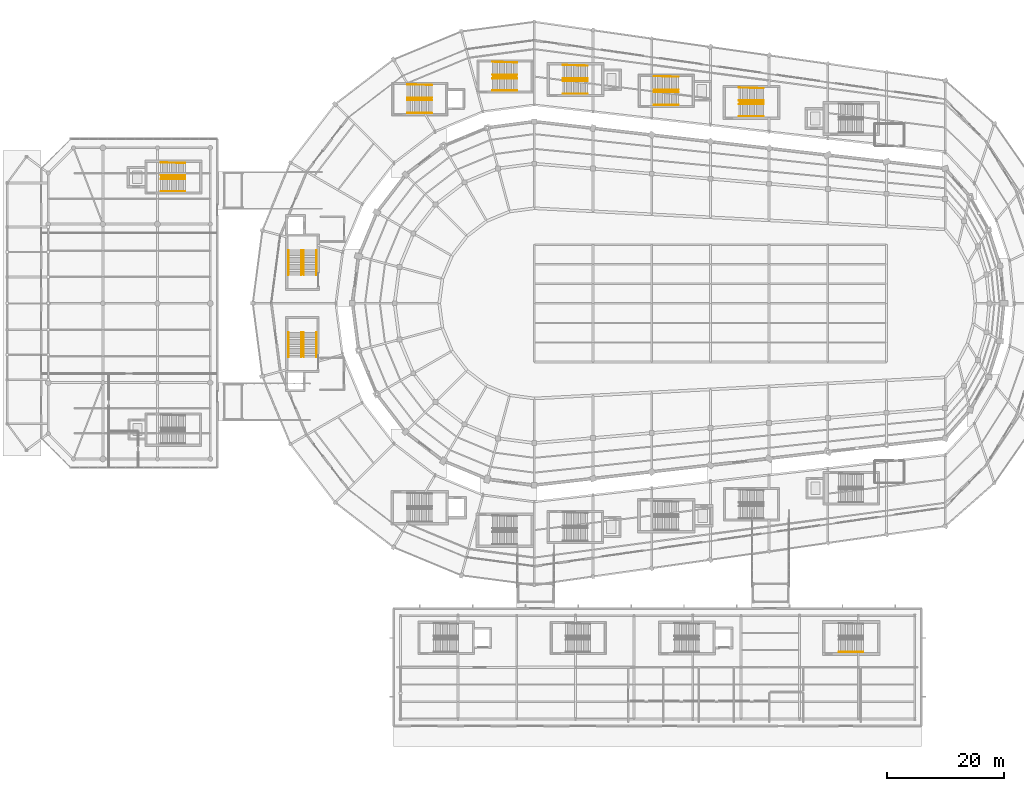
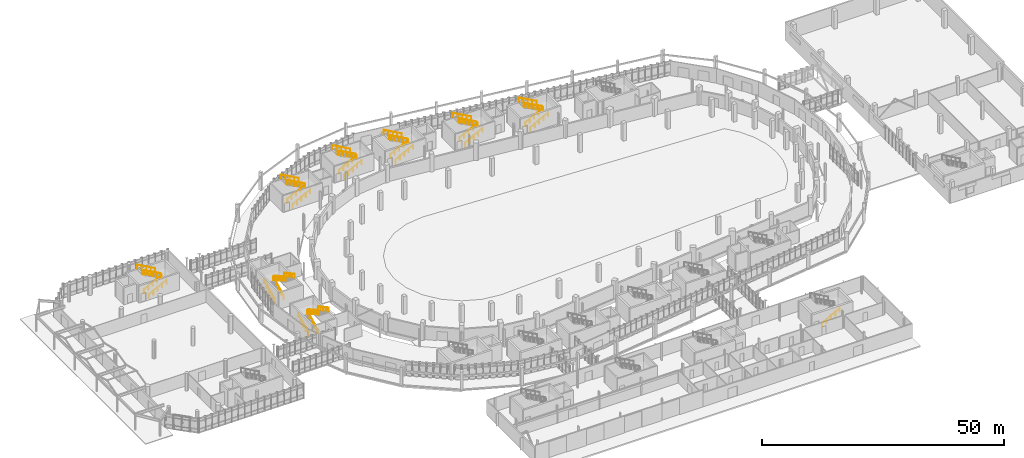
# One storey, part 118 of 122: 41 railings.
"""IFC4 building model written with IfcOpenShell, lengths in metres."""

from ifc_helpers import new_model, si_unit, direction, frame, origin, origin_2d, place, context, subcontext, project, spatial, circle, extrude, material, type_object, element, save


model = new_model("IFC4")

# Units and contexts
model_context = context("Model", 3, precision=1e-05, world=origin(), true_north=direction((0.0, 1.0)))
body_context = subcontext(model_context, "Body", "Model", "MODEL_VIEW")
ifc_project = project(units=[si_unit("LENGTHUNIT", "METRE"), si_unit("AREAUNIT", "SQUARE_METRE"), si_unit("VOLUMEUNIT", "CUBIC_METRE"), si_unit("PLANEANGLEUNIT", "RADIAN"), si_unit("MASSUNIT", "GRAM", prefix="KILO")], contexts=[model_context])

# Site, building, storey
site_placement = place(None, origin())
site = spatial("IfcSite", under=ifc_project, at=site_placement, CompositionType="ELEMENT")
building_placement = place(site_placement, origin())
building = spatial("IfcBuilding", under=site, at=building_placement, Name="Sohan Crest Arena", CompositionType="ELEMENT")
storey_placement = place(building_placement, origin())
storey = spatial("IfcBuildingStorey", under=building, at=storey_placement, Name="L00", CompositionType="ELEMENT", Elevation=0.0)

# Railings
ifc_material_1 = material(Name="Powder-coated wrought steel balustrade", Category="steel")
railing_type_1 = type_object("IfcRailingType", Name="ARC-GRD-01", PredefinedType="GUARDRAIL", material=ifc_material_1)
for number, where, name in (
    (1, (58.5, 73.030029296875, 2.25), "Stair well slot guard GRD-002"),
    (2, (58.5, 87.030029296875, 2.25), "Stair well slot guard GRD-009"),
):
    element("IfcRailing", number, at=place(storey_placement, frame(where)), inside=storey, type_object=railing_type_1, Name=name, PredefinedType="GUARDRAIL", context=body_context, shape_type="SweptSolid", body=[
        extrude(circle(Radius=0.02392578125, at=origin_2d()), frame((0.0, 0.0, 1.076171875), z_axis=(0.0, -0.87313487534, 0.487478706678), x_axis=(1.0, 0.0, 0.0)), (0.0, 0.0, 1.0), 4.615478515625),
        extrude(circle(Radius=0.02099609375, at=origin_2d()), origin(), (0.0, 0.0, 1.0), 1.052001953125),
        extrude(circle(Radius=0.02099609375, at=origin_2d()), frame((0.0, -1.007568359375, 0.5625)), (0.0, 0.0, 1.0), 1.052001953125),
        extrude(circle(Radius=0.02099609375, at=origin_2d()), frame((0.0, -2.01513671875, 1.125)), (0.0, 0.0, 1.0), 1.052001953125),
        extrude(circle(Radius=0.02099609375, at=origin_2d()), frame((0.0, -3.0224609375, 1.6875)), (0.0, 0.0, 1.0), 1.052001953125),
        extrude(circle(Radius=0.02099609375, at=origin_2d()), frame((0.0, -4.030029296875, 2.25)), (0.0, 0.0, 1.0), 1.052001953125),
    ])
for number, where, name in (
    (3, (80.530029296875, 112.800048828125, 2.25), "Stair well slot guard GRD-023"),
    (4, (107.030029296875, 116.10009765625, 2.25), "Stair well slot guard GRD-035"),
    (5, (122.530029296875, 114.199951171875, 2.25), "Stair well slot guard GRD-046"),
    (6, (38.530029296875, 99.5, 2.25), "Stair well slot guard GRD-075"),
    (7, (95.030029296875, 116.639892578125, 2.25), "Stair well slot guard GRD-106"),
    (8, (137.030029296875, 112.25, 2.25), "Stair well slot guard GRD-118"),
):
    element("IfcRailing", number, at=place(storey_placement, frame(where)), inside=storey, type_object=railing_type_1, Name=name, PredefinedType="GUARDRAIL", context=body_context, shape_type="SweptSolid", body=[
        extrude(circle(Radius=0.02392578125, at=origin_2d()), frame((0.0, 0.0, 1.076171875), z_axis=(-0.87313487534, 0.0, 0.487478706678), x_axis=(0.0, -1.0, 0.0)), (0.0, 0.0, 1.0), 4.615478515625),
        extrude(circle(Radius=0.02099609375, at=origin_2d()), origin(), (0.0, 0.0, 1.0), 1.052001953125),
        extrude(circle(Radius=0.02099609375, at=origin_2d()), frame((-1.007568359375, 0.0, 0.5625)), (0.0, 0.0, 1.0), 1.052001953125),
        extrude(circle(Radius=0.02099609375, at=origin_2d()), frame((-2.01513671875, 0.0, 1.125)), (0.0, 0.0, 1.0), 1.052001953125),
        extrude(circle(Radius=0.02099609375, at=origin_2d()), frame((-3.0224609375, 0.0, 1.6875)), (0.0, 0.0, 1.0), 1.052001953125),
        extrude(circle(Radius=0.02099609375, at=origin_2d()), frame((-4.030029296875, 0.0, 2.25)), (0.0, 0.0, 1.0), 1.052001953125),
    ])
ifc_material_2 = material(Name="Brushed stainless steel stair handrail", Category="steel")
railing_type_2 = type_object("IfcRailingType", Name="ARC-HR-01", PredefinedType="HANDRAIL", material=ifc_material_2)
for number, where, name in (
    (9, (56.110107421875, 68.85009765625, 0.0), "Stair pitch handrail HR-005"),
    (10, (58.2900390625, 68.85009765625, 0.0), "Stair pitch handrail HR-006"),
):
    element("IfcRailing", number, at=place(storey_placement, frame(where)), inside=storey, type_object=railing_type_2, Name=name, PredefinedType="HANDRAIL", context=body_context, shape_type="SweptSolid", body=[
        extrude(circle(Radius=0.02392578125, at=origin_2d()), frame((0.0, 0.0, 0.97607421875), z_axis=(0.0, 0.881477684796, 0.472225678258), x_axis=(-1.0, 0.0, 0.0)), (0.0, 0.0, 1.0), 4.7646484375),
        extrude(circle(Radius=0.02099609375, at=origin_2d()), origin(), (0.0, 0.0, 1.0), 0.951904296875),
        extrude(circle(Radius=0.02099609375, at=origin_2d()), frame((0.0, 1.050048828125, 0.5625)), (0.0, 0.0, 1.0), 0.951904296875),
        extrude(circle(Radius=0.02099609375, at=origin_2d()), frame((0.0, 2.10009765625, 1.125)), (0.0, 0.0, 1.0), 0.951904296875),
        extrude(circle(Radius=0.02099609375, at=origin_2d()), frame((0.0, 3.14990234375, 1.6875)), (0.0, 0.0, 1.0), 0.951904296875),
        extrude(circle(Radius=0.02099609375, at=origin_2d()), frame((0.0, 4.199951171875, 2.25)), (0.0, 0.0, 1.0), 0.951904296875),
    ])
for number, where, name in (
    (11, (58.7099609375, 73.050048828125, 2.25), "Stair pitch handrail HR-007"),
    (12, (60.889892578125, 73.050048828125, 2.25), "Stair pitch handrail HR-008"),
):
    element("IfcRailing", number, at=place(storey_placement, frame(where)), inside=storey, type_object=railing_type_2, Name=name, PredefinedType="HANDRAIL", context=body_context, shape_type="SweptSolid", body=[
        extrude(circle(Radius=0.02392578125, at=origin_2d()), frame((0.0, 0.0, 0.97607421875), z_axis=(0.0, -0.881477684796, 0.472225678258), x_axis=(1.0, 0.0, 0.0)), (0.0, 0.0, 1.0), 4.7646484375),
        extrude(circle(Radius=0.02099609375, at=origin_2d()), origin(), (0.0, 0.0, 1.0), 0.951904296875),
        extrude(circle(Radius=0.02099609375, at=origin_2d()), frame((0.0, -1.050048828125, 0.5625)), (0.0, 0.0, 1.0), 0.951904296875),
        extrude(circle(Radius=0.02099609375, at=origin_2d()), frame((0.0, -2.10009765625, 1.125)), (0.0, 0.0, 1.0), 0.951904296875),
        extrude(circle(Radius=0.02099609375, at=origin_2d()), frame((0.0, -3.14990234375, 1.6875)), (0.0, 0.0, 1.0), 0.951904296875),
        extrude(circle(Radius=0.02099609375, at=origin_2d()), frame((0.0, -4.199951171875, 2.25)), (0.0, 0.0, 1.0), 0.951904296875),
    ])
for number, where, name in (
    (13, (56.110107421875, 82.85009765625, 0.0), "Stair pitch handrail HR-029"),
    (14, (58.2900390625, 82.85009765625, 0.0), "Stair pitch handrail HR-030"),
):
    element("IfcRailing", number, at=place(storey_placement, frame(where)), inside=storey, type_object=railing_type_2, Name=name, PredefinedType="HANDRAIL", context=body_context, shape_type="SweptSolid", body=[
        extrude(circle(Radius=0.02392578125, at=origin_2d()), frame((0.0, 0.0, 0.97607421875), z_axis=(0.0, 0.881477684796, 0.472225678258), x_axis=(-1.0, 0.0, 0.0)), (0.0, 0.0, 1.0), 4.7646484375),
        extrude(circle(Radius=0.02099609375, at=origin_2d()), origin(), (0.0, 0.0, 1.0), 0.951904296875),
        extrude(circle(Radius=0.02099609375, at=origin_2d()), frame((0.0, 1.050048828125, 0.5625)), (0.0, 0.0, 1.0), 0.951904296875),
        extrude(circle(Radius=0.02099609375, at=origin_2d()), frame((0.0, 2.10009765625, 1.125)), (0.0, 0.0, 1.0), 0.951904296875),
        extrude(circle(Radius=0.02099609375, at=origin_2d()), frame((0.0, 3.14990234375, 1.6875)), (0.0, 0.0, 1.0), 0.951904296875),
        extrude(circle(Radius=0.02099609375, at=origin_2d()), frame((0.0, 4.199951171875, 2.25)), (0.0, 0.0, 1.0), 0.951904296875),
    ])
for number, where, name in (
    (15, (58.7099609375, 87.050048828125, 2.25), "Stair pitch handrail HR-031"),
    (16, (60.889892578125, 87.050048828125, 2.25), "Stair pitch handrail HR-032"),
):
    element("IfcRailing", number, at=place(storey_placement, frame(where)), inside=storey, type_object=railing_type_2, Name=name, PredefinedType="HANDRAIL", context=body_context, shape_type="SweptSolid", body=[
        extrude(circle(Radius=0.02392578125, at=origin_2d()), frame((0.0, 0.0, 0.97607421875), z_axis=(0.0, -0.881477684796, 0.472225678258), x_axis=(1.0, 0.0, 0.0)), (0.0, 0.0, 1.0), 4.7646484375),
        extrude(circle(Radius=0.02099609375, at=origin_2d()), origin(), (0.0, 0.0, 1.0), 0.951904296875),
        extrude(circle(Radius=0.02099609375, at=origin_2d()), frame((0.0, -1.050048828125, 0.5625)), (0.0, 0.0, 1.0), 0.951904296875),
        extrude(circle(Radius=0.02099609375, at=origin_2d()), frame((0.0, -2.10009765625, 1.125)), (0.0, 0.0, 1.0), 0.951904296875),
        extrude(circle(Radius=0.02099609375, at=origin_2d()), frame((0.0, -3.14990234375, 1.6875)), (0.0, 0.0, 1.0), 0.951904296875),
        extrude(circle(Radius=0.02099609375, at=origin_2d()), frame((0.0, -4.199951171875, 2.25)), (0.0, 0.0, 1.0), 0.951904296875),
    ])
for number, where, name in (
    (17, (76.35009765625, 110.409912109375, 0.0), "Stair pitch handrail HR-077"),
    (18, (76.35009765625, 112.590087890625, 0.0), "Stair pitch handrail HR-078"),
):
    element("IfcRailing", number, at=place(storey_placement, frame(where)), inside=storey, type_object=railing_type_2, Name=name, PredefinedType="HANDRAIL", context=body_context, shape_type="SweptSolid", body=[
        extrude(circle(Radius=0.02392578125, at=origin_2d()), frame((0.0, 0.0, 0.97607421875), z_axis=(0.881477684796, 0.0, 0.472225678258), x_axis=(0.0, 1.0, 0.0)), (0.0, 0.0, 1.0), 4.7646484375),
        extrude(circle(Radius=0.02099609375, at=origin_2d()), origin(), (0.0, 0.0, 1.0), 0.951904296875),
        extrude(circle(Radius=0.02099609375, at=origin_2d()), frame((1.050048828125, 0.0, 0.5625)), (0.0, 0.0, 1.0), 0.951904296875),
        extrude(circle(Radius=0.02099609375, at=origin_2d()), frame((2.10009765625, 0.0, 1.125)), (0.0, 0.0, 1.0), 0.951904296875),
        extrude(circle(Radius=0.02099609375, at=origin_2d()), frame((3.14990234375, 0.0, 1.6875)), (0.0, 0.0, 1.0), 0.951904296875),
        extrude(circle(Radius=0.02099609375, at=origin_2d()), frame((4.199951171875, 0.0, 2.25)), (0.0, 0.0, 1.0), 0.951904296875),
    ])
railing_1_placement = place(storey_placement, frame((80.550048828125, 113.010009765625, 2.25)))
element("IfcRailing", 19, at=railing_1_placement, inside=storey, type_object=railing_type_2, Name="Stair pitch handrail HR-079", PredefinedType="HANDRAIL", context=body_context, shape_type="SweptSolid", body=[
    extrude(circle(Radius=0.02392578125, at=origin_2d()), frame((0.0, 0.0, 0.97607421875), z_axis=(-0.881477684796, 0.0, 0.472225678258), x_axis=(0.0, -1.0, 0.0)), (0.0, 0.0, 1.0), 4.7646484375),
    extrude(circle(Radius=0.02099609375, at=origin_2d()), origin(), (0.0, 0.0, 1.0), 0.951904296875),
    extrude(circle(Radius=0.02099609375, at=origin_2d()), frame((-1.050048828125, 0.0, 0.5625)), (0.0, 0.0, 1.0), 0.951904296875),
    extrude(circle(Radius=0.02099609375, at=origin_2d()), frame((-2.10009765625, 0.0, 1.125)), (0.0, 0.0, 1.0), 0.951904296875),
    extrude(circle(Radius=0.02099609375, at=origin_2d()), frame((-3.14990234375, 0.0, 1.6875)), (0.0, 0.0, 1.0), 0.951904296875),
    extrude(circle(Radius=0.02099609375, at=origin_2d()), frame((-4.199951171875, 0.0, 2.25)), (0.0, 0.0, 1.0), 0.951904296875),
])
railing_2_placement = place(storey_placement, frame((80.550048828125, 115.18994140625, 2.25)))
element("IfcRailing", 20, at=railing_2_placement, inside=storey, type_object=railing_type_2, Name="Stair pitch handrail HR-080", PredefinedType="HANDRAIL", context=body_context, shape_type="SweptSolid", body=[
    extrude(circle(Radius=0.02392578125, at=origin_2d()), frame((0.0, 0.0, 0.97607421875), z_axis=(-0.881197710057, 0.025201957411, 0.472075690047), x_axis=(-0.028587973606, -0.999591280357, 0.0)), (0.0, 0.0, 1.0), 4.76611328125),
    extrude(circle(Radius=0.02099609375, at=origin_2d()), origin(), (0.0, 0.0, 1.0), 0.951904296875),
    extrude(circle(Radius=0.02099609375, at=origin_2d()), frame((-1.050048828125, 0.030029296875, 0.5625)), (0.0, 0.0, 1.0), 0.951904296875),
    extrude(circle(Radius=0.02099609375, at=origin_2d()), frame((-2.10009765625, 0.06005859375, 1.125)), (0.0, 0.0, 1.0), 0.951904296875),
    extrude(circle(Radius=0.02099609375, at=origin_2d()), frame((-3.14990234375, 0.090087890625, 1.6875)), (0.0, 0.0, 1.0), 0.951904296875),
    extrude(circle(Radius=0.02099609375, at=origin_2d()), frame((-4.199951171875, 0.1201171875, 2.25)), (0.0, 0.0, 1.0), 0.951904296875),
])
for number, where, name in (
    (21, (102.85009765625, 113.7099609375, 0.0), "Stair pitch handrail HR-117"),
    (22, (102.85009765625, 115.889892578125, 0.0), "Stair pitch handrail HR-118"),
):
    element("IfcRailing", number, at=place(storey_placement, frame(where)), inside=storey, type_object=railing_type_2, Name=name, PredefinedType="HANDRAIL", context=body_context, shape_type="SweptSolid", body=[
        extrude(circle(Radius=0.02392578125, at=origin_2d()), frame((0.0, 0.0, 0.97607421875), z_axis=(0.881477684796, 0.0, 0.472225678258), x_axis=(0.0, 1.0, 0.0)), (0.0, 0.0, 1.0), 4.7646484375),
        extrude(circle(Radius=0.02099609375, at=origin_2d()), origin(), (0.0, 0.0, 1.0), 0.951904296875),
        extrude(circle(Radius=0.02099609375, at=origin_2d()), frame((1.050048828125, 0.0, 0.5625)), (0.0, 0.0, 1.0), 0.951904296875),
        extrude(circle(Radius=0.02099609375, at=origin_2d()), frame((2.10009765625, 0.0, 1.125)), (0.0, 0.0, 1.0), 0.951904296875),
        extrude(circle(Radius=0.02099609375, at=origin_2d()), frame((3.14990234375, 0.0, 1.6875)), (0.0, 0.0, 1.0), 0.951904296875),
        extrude(circle(Radius=0.02099609375, at=origin_2d()), frame((4.199951171875, 0.0, 2.25)), (0.0, 0.0, 1.0), 0.951904296875),
    ])
railing_3_placement = place(storey_placement, frame((107.050048828125, 116.31005859375, 2.25)))
element("IfcRailing", 23, at=railing_3_placement, inside=storey, type_object=railing_type_2, Name="Stair pitch handrail HR-119", PredefinedType="HANDRAIL", context=body_context, shape_type="SweptSolid", body=[
    extrude(circle(Radius=0.02392578125, at=origin_2d()), frame((0.0, 0.0, 0.97607421875), z_axis=(-0.881477684796, 0.0, 0.472225678258), x_axis=(0.0, -1.0, 0.0)), (0.0, 0.0, 1.0), 4.7646484375),
    extrude(circle(Radius=0.02099609375, at=origin_2d()), origin(), (0.0, 0.0, 1.0), 0.951904296875),
    extrude(circle(Radius=0.02099609375, at=origin_2d()), frame((-1.050048828125, 0.0, 0.5625)), (0.0, 0.0, 1.0), 0.951904296875),
    extrude(circle(Radius=0.02099609375, at=origin_2d()), frame((-2.10009765625, 0.0, 1.125)), (0.0, 0.0, 1.0), 0.951904296875),
    extrude(circle(Radius=0.02099609375, at=origin_2d()), frame((-3.14990234375, 0.0, 1.6875)), (0.0, 0.0, 1.0), 0.951904296875),
    extrude(circle(Radius=0.02099609375, at=origin_2d()), frame((-4.199951171875, 0.0, 2.25)), (0.0, 0.0, 1.0), 0.951904296875),
])
railing_4_placement = place(storey_placement, frame((107.050048828125, 118.489990234375, 2.25)))
element("IfcRailing", 24, at=railing_4_placement, inside=storey, type_object=railing_type_2, Name="Stair pitch handrail HR-120", PredefinedType="HANDRAIL", context=body_context, shape_type="SweptSolid", body=[
    extrude(circle(Radius=0.02392578125, at=origin_2d()), frame((0.0, 0.0, 0.97607421875), z_axis=(-0.881197710057, 0.025201957411, 0.472075690047), x_axis=(-0.028587973606, -0.999591280357, 0.0)), (0.0, 0.0, 1.0), 4.76611328125),
    extrude(circle(Radius=0.02099609375, at=origin_2d()), origin(), (0.0, 0.0, 1.0), 0.951904296875),
    extrude(circle(Radius=0.02099609375, at=origin_2d()), frame((-1.050048828125, 0.030029296875, 0.5625)), (0.0, 0.0, 1.0), 0.951904296875),
    extrude(circle(Radius=0.02099609375, at=origin_2d()), frame((-2.10009765625, 0.06005859375, 1.125)), (0.0, 0.0, 1.0), 0.951904296875),
    extrude(circle(Radius=0.02099609375, at=origin_2d()), frame((-3.14990234375, 0.090087890625, 1.6875)), (0.0, 0.0, 1.0), 0.951904296875),
    extrude(circle(Radius=0.02099609375, at=origin_2d()), frame((-4.199951171875, 0.1201171875, 2.25)), (0.0, 0.0, 1.0), 0.951904296875),
])
for number, where, name in (
    (25, (118.35009765625, 111.81005859375, 0.0), "Stair pitch handrail HR-153"),
    (26, (118.35009765625, 113.989990234375, 0.0), "Stair pitch handrail HR-154"),
):
    element("IfcRailing", number, at=place(storey_placement, frame(where)), inside=storey, type_object=railing_type_2, Name=name, PredefinedType="HANDRAIL", context=body_context, shape_type="SweptSolid", body=[
        extrude(circle(Radius=0.02392578125, at=origin_2d()), frame((0.0, 0.0, 0.97607421875), z_axis=(0.881477684796, 0.0, 0.472225678258), x_axis=(0.0, 1.0, 0.0)), (0.0, 0.0, 1.0), 4.7646484375),
        extrude(circle(Radius=0.02099609375, at=origin_2d()), origin(), (0.0, 0.0, 1.0), 0.951904296875),
        extrude(circle(Radius=0.02099609375, at=origin_2d()), frame((1.050048828125, 0.0, 0.5625)), (0.0, 0.0, 1.0), 0.951904296875),
        extrude(circle(Radius=0.02099609375, at=origin_2d()), frame((2.10009765625, 0.0, 1.125)), (0.0, 0.0, 1.0), 0.951904296875),
        extrude(circle(Radius=0.02099609375, at=origin_2d()), frame((3.14990234375, 0.0, 1.6875)), (0.0, 0.0, 1.0), 0.951904296875),
        extrude(circle(Radius=0.02099609375, at=origin_2d()), frame((4.199951171875, 0.0, 2.25)), (0.0, 0.0, 1.0), 0.951904296875),
    ])
railing_5_placement = place(storey_placement, frame((122.550048828125, 114.409912109375, 2.25)))
element("IfcRailing", 27, at=railing_5_placement, inside=storey, type_object=railing_type_2, Name="Stair pitch handrail HR-155", PredefinedType="HANDRAIL", context=body_context, shape_type="SweptSolid", body=[
    extrude(circle(Radius=0.02392578125, at=origin_2d()), frame((0.0, 0.0, 0.97607421875), z_axis=(-0.881477684796, 0.0, 0.472225678258), x_axis=(0.0, -1.0, 0.0)), (0.0, 0.0, 1.0), 4.7646484375),
    extrude(circle(Radius=0.02099609375, at=origin_2d()), origin(), (0.0, 0.0, 1.0), 0.951904296875),
    extrude(circle(Radius=0.02099609375, at=origin_2d()), frame((-1.050048828125, 0.0, 0.5625)), (0.0, 0.0, 1.0), 0.951904296875),
    extrude(circle(Radius=0.02099609375, at=origin_2d()), frame((-2.10009765625, 0.0, 1.125)), (0.0, 0.0, 1.0), 0.951904296875),
    extrude(circle(Radius=0.02099609375, at=origin_2d()), frame((-3.14990234375, 0.0, 1.6875)), (0.0, 0.0, 1.0), 0.951904296875),
    extrude(circle(Radius=0.02099609375, at=origin_2d()), frame((-4.199951171875, 0.0, 2.25)), (0.0, 0.0, 1.0), 0.951904296875),
])
railing_6_placement = place(storey_placement, frame((122.550048828125, 116.590087890625, 2.25)))
element("IfcRailing", 28, at=railing_6_placement, inside=storey, type_object=railing_type_2, Name="Stair pitch handrail HR-156", PredefinedType="HANDRAIL", context=body_context, shape_type="SweptSolid", body=[
    extrude(circle(Radius=0.02392578125, at=origin_2d()), frame((0.0, 0.0, 0.97607421875), z_axis=(-0.881198846469, 0.025150766356, 0.472076298847), x_axis=(-0.028529915312, -0.999592939117, 0.0)), (0.0, 0.0, 1.0), 4.76611328125),
    extrude(circle(Radius=0.02099609375, at=origin_2d()), origin(), (0.0, 0.0, 1.0), 0.951904296875),
    extrude(circle(Radius=0.02099609375, at=origin_2d()), frame((-1.050048828125, 0.030029296875, 0.5625)), (0.0, 0.0, 1.0), 0.951904296875),
    extrude(circle(Radius=0.02099609375, at=origin_2d()), frame((-2.10009765625, 0.06005859375, 1.125)), (0.0, 0.0, 1.0), 0.951904296875),
    extrude(circle(Radius=0.02099609375, at=origin_2d()), frame((-3.14990234375, 0.08984375, 1.6875)), (0.0, 0.0, 1.0), 0.951904296875),
    extrude(circle(Radius=0.02099609375, at=origin_2d()), frame((-4.199951171875, 0.119873046875, 2.25)), (0.0, 0.0, 1.0), 0.951904296875),
])
for number, where, name in (
    (29, (149.85009765625, 18.610107421875, 0.0), "Stair pitch handrail HR-205"),
    (30, (34.35009765625, 97.110107421875, 0.0), "Stair pitch handrail HR-245"),
    (31, (34.35009765625, 99.18994140625, 0.0), "Stair pitch handrail HR-246"),
):
    element("IfcRailing", number, at=place(storey_placement, frame(where)), inside=storey, type_object=railing_type_2, Name=name, PredefinedType="HANDRAIL", context=body_context, shape_type="SweptSolid", body=[
        extrude(circle(Radius=0.02392578125, at=origin_2d()), frame((0.0, 0.0, 0.97607421875), z_axis=(0.881477684796, 0.0, 0.472225678258), x_axis=(0.0, 1.0, 0.0)), (0.0, 0.0, 1.0), 4.7646484375),
        extrude(circle(Radius=0.02099609375, at=origin_2d()), origin(), (0.0, 0.0, 1.0), 0.951904296875),
        extrude(circle(Radius=0.02099609375, at=origin_2d()), frame((1.050048828125, 0.0, 0.5625)), (0.0, 0.0, 1.0), 0.951904296875),
        extrude(circle(Radius=0.02099609375, at=origin_2d()), frame((2.10009765625, 0.0, 1.125)), (0.0, 0.0, 1.0), 0.951904296875),
        extrude(circle(Radius=0.02099609375, at=origin_2d()), frame((3.14990234375, 0.0, 1.6875)), (0.0, 0.0, 1.0), 0.951904296875),
        extrude(circle(Radius=0.02099609375, at=origin_2d()), frame((4.199951171875, 0.0, 2.25)), (0.0, 0.0, 1.0), 0.951904296875),
    ])
railing_7_placement = place(storey_placement, frame((38.550048828125, 99.81005859375, 2.25)))
element("IfcRailing", 32, at=railing_7_placement, inside=storey, type_object=railing_type_2, Name="Stair pitch handrail HR-247", PredefinedType="HANDRAIL", context=body_context, shape_type="SweptSolid", body=[
    extrude(circle(Radius=0.02392578125, at=origin_2d()), frame((0.0, 0.0, 0.97607421875), z_axis=(-0.881477684796, 0.0, 0.472225678258), x_axis=(0.0, -1.0, 0.0)), (0.0, 0.0, 1.0), 4.7646484375),
    extrude(circle(Radius=0.02099609375, at=origin_2d()), origin(), (0.0, 0.0, 1.0), 0.951904296875),
    extrude(circle(Radius=0.02099609375, at=origin_2d()), frame((-1.050048828125, 0.0, 0.5625)), (0.0, 0.0, 1.0), 0.951904296875),
    extrude(circle(Radius=0.02099609375, at=origin_2d()), frame((-2.10009765625, 0.0, 1.125)), (0.0, 0.0, 1.0), 0.951904296875),
    extrude(circle(Radius=0.02099609375, at=origin_2d()), frame((-3.14990234375, 0.0, 1.6875)), (0.0, 0.0, 1.0), 0.951904296875),
    extrude(circle(Radius=0.02099609375, at=origin_2d()), frame((-4.199951171875, 0.0, 2.25)), (0.0, 0.0, 1.0), 0.951904296875),
])
railing_8_placement = place(storey_placement, frame((38.550048828125, 101.889892578125, 2.25)))
element("IfcRailing", 33, at=railing_8_placement, inside=storey, type_object=railing_type_2, Name="Stair pitch handrail HR-248", PredefinedType="HANDRAIL", context=body_context, shape_type="SweptSolid", body=[
    extrude(circle(Radius=0.02392578125, at=origin_2d()), frame((0.0, 0.0, 0.97607421875), z_axis=(-0.881197710057, 0.025201957411, 0.472075690047), x_axis=(-0.028587973606, -0.999591280357, 0.0)), (0.0, 0.0, 1.0), 4.76611328125),
    extrude(circle(Radius=0.02099609375, at=origin_2d()), origin(), (0.0, 0.0, 1.0), 0.951904296875),
    extrude(circle(Radius=0.02099609375, at=origin_2d()), frame((-1.050048828125, 0.030029296875, 0.5625)), (0.0, 0.0, 1.0), 0.951904296875),
    extrude(circle(Radius=0.02099609375, at=origin_2d()), frame((-2.10009765625, 0.06005859375, 1.125)), (0.0, 0.0, 1.0), 0.951904296875),
    extrude(circle(Radius=0.02099609375, at=origin_2d()), frame((-3.14990234375, 0.090087890625, 1.6875)), (0.0, 0.0, 1.0), 0.951904296875),
    extrude(circle(Radius=0.02099609375, at=origin_2d()), frame((-4.199951171875, 0.1201171875, 2.25)), (0.0, 0.0, 1.0), 0.951904296875),
])
for number, where, name in (
    (34, (90.85009765625, 114.25, 0.0), "Stair pitch handrail HR-345"),
    (35, (90.85009765625, 116.330078125, 0.0), "Stair pitch handrail HR-346"),
):
    element("IfcRailing", number, at=place(storey_placement, frame(where)), inside=storey, type_object=railing_type_2, Name=name, PredefinedType="HANDRAIL", context=body_context, shape_type="SweptSolid", body=[
        extrude(circle(Radius=0.02392578125, at=origin_2d()), frame((0.0, 0.0, 0.97607421875), z_axis=(0.881477684796, 0.0, 0.472225678258), x_axis=(0.0, 1.0, 0.0)), (0.0, 0.0, 1.0), 4.7646484375),
        extrude(circle(Radius=0.02099609375, at=origin_2d()), origin(), (0.0, 0.0, 1.0), 0.951904296875),
        extrude(circle(Radius=0.02099609375, at=origin_2d()), frame((1.050048828125, 0.0, 0.5625)), (0.0, 0.0, 1.0), 0.951904296875),
        extrude(circle(Radius=0.02099609375, at=origin_2d()), frame((2.10009765625, 0.0, 1.125)), (0.0, 0.0, 1.0), 0.951904296875),
        extrude(circle(Radius=0.02099609375, at=origin_2d()), frame((3.14990234375, 0.0, 1.6875)), (0.0, 0.0, 1.0), 0.951904296875),
        extrude(circle(Radius=0.02099609375, at=origin_2d()), frame((4.199951171875, 0.0, 2.25)), (0.0, 0.0, 1.0), 0.951904296875),
    ])
railing_9_placement = place(storey_placement, frame((95.050048828125, 116.949951171875, 2.25)))
element("IfcRailing", 36, at=railing_9_placement, inside=storey, type_object=railing_type_2, Name="Stair pitch handrail HR-347", PredefinedType="HANDRAIL", context=body_context, shape_type="SweptSolid", body=[
    extrude(circle(Radius=0.02392578125, at=origin_2d()), frame((0.0, 0.0, 0.97607421875), z_axis=(-0.881477684796, 0.0, 0.472225678258), x_axis=(0.0, -1.0, 0.0)), (0.0, 0.0, 1.0), 4.7646484375),
    extrude(circle(Radius=0.02099609375, at=origin_2d()), origin(), (0.0, 0.0, 1.0), 0.951904296875),
    extrude(circle(Radius=0.02099609375, at=origin_2d()), frame((-1.050048828125, 0.0, 0.5625)), (0.0, 0.0, 1.0), 0.951904296875),
    extrude(circle(Radius=0.02099609375, at=origin_2d()), frame((-2.10009765625, 0.0, 1.125)), (0.0, 0.0, 1.0), 0.951904296875),
    extrude(circle(Radius=0.02099609375, at=origin_2d()), frame((-3.14990234375, 0.0, 1.6875)), (0.0, 0.0, 1.0), 0.951904296875),
    extrude(circle(Radius=0.02099609375, at=origin_2d()), frame((-4.199951171875, 0.0, 2.25)), (0.0, 0.0, 1.0), 0.951904296875),
])
railing_10_placement = place(storey_placement, frame((95.050048828125, 119.030029296875, 2.25)))
element("IfcRailing", 37, at=railing_10_placement, inside=storey, type_object=railing_type_2, Name="Stair pitch handrail HR-348", PredefinedType="HANDRAIL", context=body_context, shape_type="SweptSolid", body=[
    extrude(circle(Radius=0.02392578125, at=origin_2d()), frame((0.0, 0.0, 0.97607421875), z_axis=(-0.881198846469, 0.025150766356, 0.472076298847), x_axis=(-0.028529915312, -0.999592939117, 0.0)), (0.0, 0.0, 1.0), 4.76611328125),
    extrude(circle(Radius=0.02099609375, at=origin_2d()), origin(), (0.0, 0.0, 1.0), 0.951904296875),
    extrude(circle(Radius=0.02099609375, at=origin_2d()), frame((-1.050048828125, 0.030029296875, 0.5625)), (0.0, 0.0, 1.0), 0.951904296875),
    extrude(circle(Radius=0.02099609375, at=origin_2d()), frame((-2.10009765625, 0.06005859375, 1.125)), (0.0, 0.0, 1.0), 0.951904296875),
    extrude(circle(Radius=0.02099609375, at=origin_2d()), frame((-3.14990234375, 0.08984375, 1.6875)), (0.0, 0.0, 1.0), 0.951904296875),
    extrude(circle(Radius=0.02099609375, at=origin_2d()), frame((-4.199951171875, 0.119873046875, 2.25)), (0.0, 0.0, 1.0), 0.951904296875),
])
for number, where, name in (
    (38, (132.85009765625, 109.860107421875, 0.0), "Stair pitch handrail HR-385"),
    (39, (132.85009765625, 111.93994140625, 0.0), "Stair pitch handrail HR-386"),
):
    element("IfcRailing", number, at=place(storey_placement, frame(where)), inside=storey, type_object=railing_type_2, Name=name, PredefinedType="HANDRAIL", context=body_context, shape_type="SweptSolid", body=[
        extrude(circle(Radius=0.02392578125, at=origin_2d()), frame((0.0, 0.0, 0.97607421875), z_axis=(0.881477684796, 0.0, 0.472225678258), x_axis=(0.0, 1.0, 0.0)), (0.0, 0.0, 1.0), 4.7646484375),
        extrude(circle(Radius=0.02099609375, at=origin_2d()), origin(), (0.0, 0.0, 1.0), 0.951904296875),
        extrude(circle(Radius=0.02099609375, at=origin_2d()), frame((1.050048828125, 0.0, 0.5625)), (0.0, 0.0, 1.0), 0.951904296875),
        extrude(circle(Radius=0.02099609375, at=origin_2d()), frame((2.10009765625, 0.0, 1.125)), (0.0, 0.0, 1.0), 0.951904296875),
        extrude(circle(Radius=0.02099609375, at=origin_2d()), frame((3.14990234375, 0.0, 1.6875)), (0.0, 0.0, 1.0), 0.951904296875),
        extrude(circle(Radius=0.02099609375, at=origin_2d()), frame((4.199951171875, 0.0, 2.25)), (0.0, 0.0, 1.0), 0.951904296875),
    ])
railing_11_placement = place(storey_placement, frame((137.050048828125, 112.56005859375, 2.25)))
element("IfcRailing", 40, at=railing_11_placement, inside=storey, type_object=railing_type_2, Name="Stair pitch handrail HR-387", PredefinedType="HANDRAIL", context=body_context, shape_type="SweptSolid", body=[
    extrude(circle(Radius=0.02392578125, at=origin_2d()), frame((0.0, 0.0, 0.97607421875), z_axis=(-0.881477684796, 0.0, 0.472225678258), x_axis=(0.0, -1.0, 0.0)), (0.0, 0.0, 1.0), 4.7646484375),
    extrude(circle(Radius=0.02099609375, at=origin_2d()), origin(), (0.0, 0.0, 1.0), 0.951904296875),
    extrude(circle(Radius=0.02099609375, at=origin_2d()), frame((-1.050048828125, 0.0, 0.5625)), (0.0, 0.0, 1.0), 0.951904296875),
    extrude(circle(Radius=0.02099609375, at=origin_2d()), frame((-2.10009765625, 0.0, 1.125)), (0.0, 0.0, 1.0), 0.951904296875),
    extrude(circle(Radius=0.02099609375, at=origin_2d()), frame((-3.14990234375, 0.0, 1.6875)), (0.0, 0.0, 1.0), 0.951904296875),
    extrude(circle(Radius=0.02099609375, at=origin_2d()), frame((-4.199951171875, 0.0, 2.25)), (0.0, 0.0, 1.0), 0.951904296875),
])
railing_12_placement = place(storey_placement, frame((137.050048828125, 114.639892578125, 2.25)))
element("IfcRailing", 41, at=railing_12_placement, inside=storey, type_object=railing_type_2, Name="Stair pitch handrail HR-388", PredefinedType="HANDRAIL", context=body_context, shape_type="SweptSolid", body=[
    extrude(circle(Radius=0.02392578125, at=origin_2d()), frame((0.0, 0.0, 0.97607421875), z_axis=(-0.881197710057, 0.025201957411, 0.472075690047), x_axis=(-0.028587973606, -0.999591280357, 0.0)), (0.0, 0.0, 1.0), 4.76611328125),
    extrude(circle(Radius=0.02099609375, at=origin_2d()), origin(), (0.0, 0.0, 1.0), 0.951904296875),
    extrude(circle(Radius=0.02099609375, at=origin_2d()), frame((-1.050048828125, 0.030029296875, 0.5625)), (0.0, 0.0, 1.0), 0.951904296875),
    extrude(circle(Radius=0.02099609375, at=origin_2d()), frame((-2.10009765625, 0.06005859375, 1.125)), (0.0, 0.0, 1.0), 0.951904296875),
    extrude(circle(Radius=0.02099609375, at=origin_2d()), frame((-3.14990234375, 0.090087890625, 1.6875)), (0.0, 0.0, 1.0), 0.951904296875),
    extrude(circle(Radius=0.02099609375, at=origin_2d()), frame((-4.199951171875, 0.1201171875, 2.25)), (0.0, 0.0, 1.0), 0.951904296875),
])

save(model, "model.ifc")
